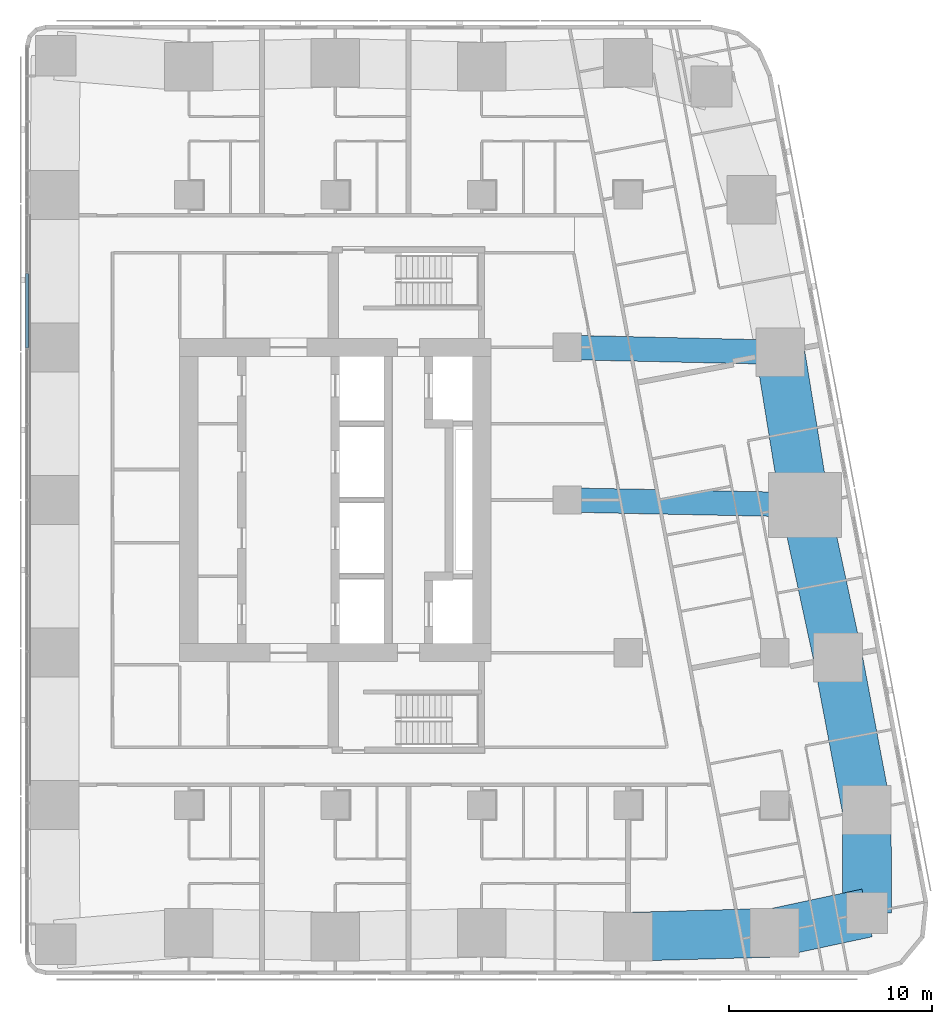
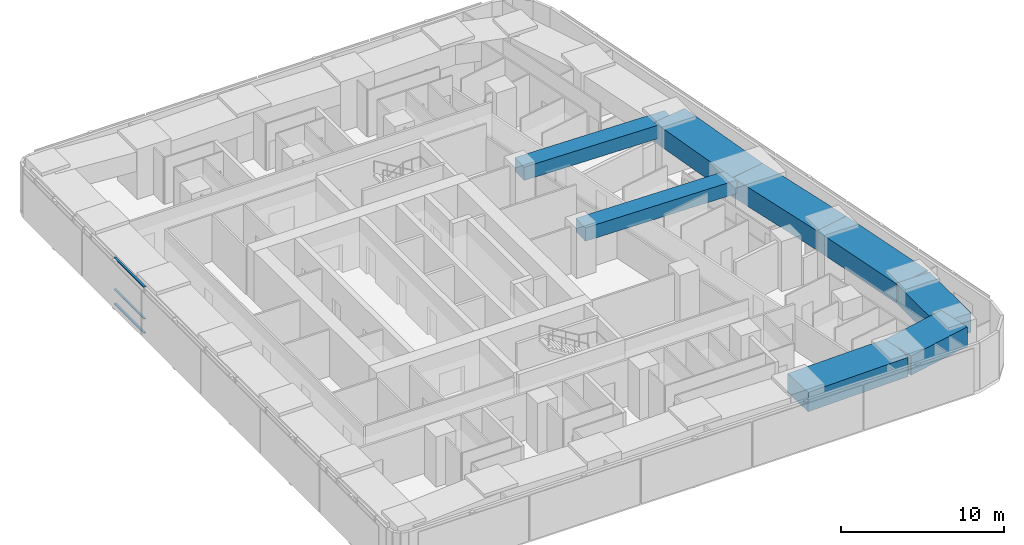
# One storey, part 4 of 17: 8 beams, 3 members, 1 element without a shape of its own.
"""IFC4 building model written with IfcOpenShell, lengths in metres."""

import ifcopenshell
import ifcopenshell.guid

model = None  # the IFC model being written
_history = None  # IfcOwnerHistory: only IFC2X3 demands one
_inside = {}  # id of a spatial element -> (the spatial element, [elements in it])
_under = {}  # id of a project, library or spatial element -> (it, [spatial elements below it])
_declared = {}  # id of a project -> (the project, [libraries it declares])
_typed = {}  # id of a type object -> (the type object, [elements of that type])
_made_of = {}  # id of a material, layer set ... -> (it, [elements and type objects made of it])


def new_model(schema):
    """Start an empty IFC model of exactly this schema.

    Asked for "IFC4X3", IfcOpenShell would pick the latest addendum, in which some entities
    have other attributes; the version numbers below select the first issue.
    IFC2X3 requires an IfcOwnerHistory on every rooted entity: one is made here for all.
    """
    global model, _history
    if schema == "IFC4X3":
        model = ifcopenshell.file(schema_version=(4, 3, 0, 0))
    else:
        model = ifcopenshell.file(schema=schema)
    _inside.clear()
    _under.clear()
    _declared.clear()
    _typed.clear()
    _made_of.clear()
    _history = None
    if model.schema == "IFC2X3":
        org = make("IfcOrganization", Name="unknown")
        user = make(
            "IfcPersonAndOrganization",
            ThePerson=make("IfcPerson", FamilyName="unknown"),
            TheOrganization=org,
        )
        app = make(
            "IfcApplication",
            ApplicationDeveloper=org,
            Version="unknown",
            ApplicationFullName="unknown",
            ApplicationIdentifier="unknown",
        )
        _history = make(
            "IfcOwnerHistory",
            OwningUser=user,
            OwningApplication=app,
            ChangeAction="ADDED",
            CreationDate=0,
        )
    return model


def make(cls, **values):
    """One entity of the class cls with the attributes given. An attribute that is None is left unset."""
    return model.create_entity(
        cls, **{name: value for name, value in values.items() if value is not None}
    )


def rooted(cls, **values):
    """An entity with a GlobalId (a new one), such as an element, a storey or a relation."""
    return make(cls, GlobalId=ifcopenshell.guid.new(), OwnerHistory=_history, **values)


def si_unit(unit_type, name, prefix=None):
    """IfcSIUnit, for example si_unit("LENGTHUNIT", "METRE", prefix="MILLI")."""
    return make("IfcSIUnit", UnitType=unit_type, Prefix=prefix, Name=name)


def assignment(units):
    """IfcUnitAssignment: the units of a project."""
    return None if units is None else make("IfcUnitAssignment", Units=units)


def point(xyz):
    """IfcCartesianPoint."""
    return None if xyz is None else make("IfcCartesianPoint", Coordinates=xyz)


def direction(xyz):
    """IfcDirection."""
    return None if xyz is None else make("IfcDirection", DirectionRatios=xyz)


def frame(location, z_axis=None, x_axis=None):
    """IfcAxis2Placement3D, a coordinate frame: its origin and axes. An axis left out is left unset."""
    return make(
        "IfcAxis2Placement3D",
        Location=point(location),
        Axis=direction(z_axis),
        RefDirection=direction(x_axis),
    )


def frame_2d(location, x_axis=None):
    """IfcAxis2Placement2D, a coordinate frame in the plane: its origin and x axis."""
    return make(
        "IfcAxis2Placement2D", Location=point(location), RefDirection=direction(x_axis)
    )


def origin():
    """The frame at (0, 0, 0) with its axes left unset."""
    return frame((0.0, 0.0, 0.0))


def origin_2d():
    """The frame at (0, 0) in the plane with its x axis left unset."""
    return frame_2d((0.0, 0.0))


def place(relative_to, where):
    """IfcLocalPlacement: puts the frame where relative to a parent placement (None: the world)."""
    return make(
        "IfcLocalPlacement", PlacementRelTo=relative_to, RelativePlacement=where
    )


def context(
    kind, dimensions, precision=None, world=None, true_north=None, identifier=None
):
    """IfcGeometricRepresentationContext, for example the 3D "Model" context."""
    return make(
        "IfcGeometricRepresentationContext",
        ContextIdentifier=identifier,
        ContextType=kind,
        CoordinateSpaceDimension=dimensions,
        Precision=precision,
        WorldCoordinateSystem=world,
        TrueNorth=true_north,
    )


def subcontext(parent, identifier, kind, view, scale=None):
    """IfcGeometricRepresentationSubContext, for example "Body" below "Model"."""
    return make(
        "IfcGeometricRepresentationSubContext",
        ContextIdentifier=identifier,
        ContextType=kind,
        ParentContext=parent,
        TargetScale=scale,
        TargetView=view,
    )


def project(units=None, contexts=None):
    """IfcProject with its units and contexts."""
    return rooted(
        "IfcProject",
        Name="project",
        RepresentationContexts=contexts,
        UnitsInContext=assignment(units),
    )


def spatial(cls, under=None, at=None, **own):
    """A site, building, storey or space (cls), placed at a placement, below another one or the project."""
    s = rooted(cls, ObjectPlacement=at, **own)
    if under is not None:
        _under.setdefault(under.id(), (under, []))[1].append(s)
    return s


def profile(cls, at=None, kind="AREA", **sizes):
    """A parametric profile (cls). Its sizes go by their IFC names, for example OverallWidth=200.0."""
    return make(cls, ProfileType=kind, Position=at, **sizes)


def rectangle(**sizes):
    """IfcRectangleProfileDef."""
    return profile("IfcRectangleProfileDef", **sizes)


def extrude(swept, where, along, depth):
    """IfcExtrudedAreaSolid: the profile swept, set in the frame where, extruded along a direction by depth."""
    return make(
        "IfcExtrudedAreaSolid",
        SweptArea=swept,
        Position=where,
        ExtrudedDirection=direction(along),
        Depth=depth,
    )


def shape(context_of_items, identifier, shape_type, items):
    """IfcShapeRepresentation: the items that make up one representation, for example the "Body"."""
    return make(
        "IfcShapeRepresentation",
        ContextOfItems=context_of_items,
        RepresentationIdentifier=identifier,
        RepresentationType=shape_type,
        Items=items,
    )


def material(Name=None, Category=None):
    """IfcMaterial."""
    return make("IfcMaterial", Name=Name, Category=Category)


def material_profile(
    of_material, cross_section, Name=None, Category=None, Priority=None
):
    """IfcMaterialProfile: a cross section and its material."""
    return make(
        "IfcMaterialProfile",
        Name=Name,
        Material=of_material,
        Profile=cross_section,
        Priority=Priority,
        Category=Category,
    )


def profile_set(profiles, Name=None, composite=None):
    """IfcMaterialProfileSet."""
    return make(
        "IfcMaterialProfileSet",
        Name=Name,
        MaterialProfiles=profiles,
        CompositeProfile=composite,
    )


def made_of(thing, what):
    """Note that an element or type object is made of a material, layer set ...; save() writes the relation."""
    if what is not None:
        _made_of.setdefault(what.id(), (what, []))[1].append(thing)
    return thing


def type_object(cls, material=None, **own):
    """A type object (cls), such as IfcWallType, which elements share."""
    return made_of(rooted(cls, **own), material)


def element(
    cls,
    number,
    at=None,
    inside=None,
    cuts=None,
    type_object=None,
    material=None,
    context=None,
    identifier="Body",
    shape_type=None,
    held_by="IfcProductDefinitionShape",
    body=None,
    shapes=None,
    **own,
):
    """One element of the class cls, such as IfcWall. Its Tag is "e" and its number.

    at: its placement. inside: the storey or other place that contains it. cuts: it is an
    opening in that element (IfcRelVoidsElement). A single representation is given by context,
    identifier, shape_type and body (its items); several are given by shapes. held_by: the class
    of the entity that holds the representations. save() writes the other relations.
    """
    e = rooted(cls, Tag="e%d" % number, ObjectPlacement=at, **own)
    if body is not None:
        shapes = [shape(context, identifier, shape_type, body)]
    if shapes is not None:
        e.Representation = make(held_by, Representations=shapes)
    if inside is not None:
        _inside.setdefault(inside.id(), (inside, []))[1].append(e)
    if cuts is not None:
        rooted(
            "IfcRelVoidsElement", RelatingBuildingElement=cuts, RelatedOpeningElement=e
        )
    if type_object is not None:
        _typed.setdefault(type_object.id(), (type_object, []))[1].append(e)
    return made_of(e, material)


def aggregate(whole, parts):
    """IfcRelAggregates: a whole, such as a stair, and the parts it consists of."""
    return rooted("IfcRelAggregates", RelatingObject=whole, RelatedObjects=parts)


def save(model, path):
    """Write the relations noted so far, then the file.

    IfcRelAggregates (storeys below a building ...), IfcRelContainedInSpatialStructure (elements
    in a storey), IfcRelDefinesByType, IfcRelAssociatesMaterial and IfcRelDeclares: one each for
    every whole, place, type object, material and project.
    """
    for whole, parts in _under.values():
        aggregate(whole, parts)
    for where, things in _inside.values():
        rooted(
            "IfcRelContainedInSpatialStructure",
            RelatedElements=things,
            RelatingStructure=where,
        )
    for kind, things in _typed.values():
        rooted("IfcRelDefinesByType", RelatedObjects=things, RelatingType=kind)
    for what, things in _made_of.values():
        rooted("IfcRelAssociatesMaterial", RelatedObjects=things, RelatingMaterial=what)
    for by, libraries in _declared.values():
        rooted("IfcRelDeclares", RelatingContext=by, RelatedDefinitions=libraries)
    model.write(path)


model = new_model("IFC4")

# Units and contexts
model_context = context("Model", 3, precision=1e-05, world=origin(), true_north=direction((0.0, 1.0)))
body_context = subcontext(model_context, "Body", "Model", "MODEL_VIEW")
ifc_project = project(units=[si_unit("LENGTHUNIT", "METRE"), si_unit("AREAUNIT", "SQUARE_METRE"), si_unit("VOLUMEUNIT", "CUBIC_METRE"), si_unit("PLANEANGLEUNIT", "RADIAN"), si_unit("MASSUNIT", "GRAM", prefix="KILO")], contexts=[model_context])

# Site, building, storey
site_placement = place(None, origin())
site = spatial("IfcSite", under=ifc_project, at=site_placement, CompositionType="ELEMENT")
building_placement = place(site_placement, origin())
building = spatial("IfcBuilding", under=site, at=building_placement, Name="Sheger Commons Tower", CompositionType="ELEMENT")
storey_placement = place(building_placement, frame((0.0, 0.0, 208.699951171875)))
storey = spatial("IfcBuildingStorey", under=building, at=storey_placement, Name="L53", CompositionType="ELEMENT", Elevation=208.699951171875)

# Beams
ifc_material_1 = material(Name="Concrete C50/60", Category="concrete")
ifc_material_profile_1 = material_profile(ifc_material_1, rectangle(XDim=1.199951171875, YDim=1.0, at=origin_2d()), Name="RC 1200x1000")
ifc_profile_set_1 = profile_set([ifc_material_profile_1], Name="Concrete C50/60")
beam_type_1 = type_object("IfcBeamType", Name="BEAM RC 1200x1000", PredefinedType="BEAM", material=ifc_profile_set_1)
beam_1_placement = place(storey_placement, frame((33.0, 22.5, 3.0), z_axis=(0.999794692776, -0.02026258368, 0.0), x_axis=(0.02026258368, 0.999794692776, 0.0)))
element("IfcBeam", 1, at=beam_1_placement, inside=storey, type_object=beam_type_1, Name="Beam 6-3000/D-7/D under L54", PredefinedType="BEAM", context=body_context, shape_type="SweptSolid", body=[
    extrude(rectangle(XDim=1.199951171875, YDim=1.0, at=origin_2d()), origin(), (0.0, 0.0, 1.0), 11.699462890625),
])
beam_2_placement = place(storey_placement, frame((33.0, 30.0, 3.0), z_axis=(0.999744258625, -0.022614538395, 0.0), x_axis=(0.022614538395, 0.999744258625, 0.0)))
element("IfcBeam", 2, at=beam_2_placement, inside=storey, type_object=beam_type_1, Name="Beam 6-3000/E-E/E under L54", PredefinedType="BEAM", context=body_context, shape_type="SweptSolid", body=[
    extrude(rectangle(XDim=1.199951171875, YDim=1.0, at=origin_2d()), origin(), (0.0, 0.0, 1.0), 10.482666015625),
])
ifc_material_2 = material(Name="Concrete C50/60", Category="concrete")
ifc_material_profile_2 = material_profile(ifc_material_2, rectangle(XDim=2.39990234375, YDim=1.449951171875, at=origin_2d()), Name="RC 2400x1450")
ifc_profile_set_2 = profile_set([ifc_material_profile_2], Name="Concrete C50/60")
beam_type_2 = type_object("IfcBeamType", Name="SPANDREL RC 2400x1450", PredefinedType="SPANDREL", material=ifc_profile_set_2)
beam_3_placement = place(storey_placement, frame((36.0, 1.02490234375, 2.775146484375), z_axis=(0.9996136624, 0.027794350926, 0.0), x_axis=(-0.027794350926, 0.9996136624, 0.0)))
element("IfcBeam", 3, at=beam_3_placement, inside=storey, type_object=beam_type_2, Name="Beam 6/A-7/A under L54", PredefinedType="SPANDREL", context=body_context, shape_type="SweptSolid", body=[
    extrude(rectangle(XDim=2.39990234375, YDim=1.449951171875, at=origin_2d()), origin(), (0.0, 0.0, 1.0), 7.20263671875),
])
beam_4_placement = place(storey_placement, frame((43.199951171875, 1.22509765625, 2.775146484375), z_axis=(0.977919796671, 0.208980552394, 0.0), x_axis=(-0.208980552394, 0.977919796671, 0.0)))
element("IfcBeam", 4, at=beam_4_placement, inside=storey, type_object=beam_type_2, Name="Beam 7/A-49.461,0.778 under L54", PredefinedType="SPANDREL", context=body_context, shape_type="SweptSolid", body=[
    extrude(rectangle(XDim=2.39990234375, YDim=1.449951171875, at=origin_2d()), origin(), (0.0, 0.0, 1.0), 4.65087890625),
])
beam_5_placement = place(storey_placement, frame((47.748046875, 2.197021484375, 2.775146484375), z_axis=(-0.003566242382, 0.999993640937, 0.0), x_axis=(-0.999993640937, -0.003566242382, 0.0)))
element("IfcBeam", 5, at=beam_5_placement, inside=storey, type_object=beam_type_2, Name="Beam 49.461,0.778-E/B under L54", PredefinedType="SPANDREL", context=body_context, shape_type="SweptSolid", body=[
    extrude(rectangle(XDim=2.39990234375, YDim=1.449951171875, at=origin_2d()), origin(), (0.0, 0.0, 1.0), 5.06591796875),
])
beam_6_placement = place(storey_placement, frame((47.72998046875, 7.262939453125, 2.775146484375), z_axis=(-0.18552441405, 0.982639655108, 0.0), x_axis=(-0.982639655108, -0.18552441405, 0.0)))
element("IfcBeam", 6, at=beam_6_placement, inside=storey, type_object=beam_type_2, Name="Beam E/B-E/C under L54", PredefinedType="SPANDREL", context=body_context, shape_type="SweptSolid", body=[
    extrude(rectangle(XDim=2.39990234375, YDim=1.449951171875, at=origin_2d()), origin(), (0.0, 0.0, 1.0), 7.632568359375),
])
beam_7_placement = place(storey_placement, frame((46.31396484375, 14.762939453125, 2.775146484375), z_axis=(-0.210750229323, 0.977539943348, 0.0), x_axis=(-0.977539943348, -0.210750229323, 0.0)))
element("IfcBeam", 7, at=beam_7_placement, inside=storey, type_object=beam_type_2, Name="Beam E/C-E/D under L54", PredefinedType="SPANDREL", context=body_context, shape_type="SweptSolid", body=[
    extrude(rectangle(XDim=2.39990234375, YDim=1.449951171875, at=origin_2d()), origin(), (0.0, 0.0, 1.0), 7.67236328125),
])
beam_8_placement = place(storey_placement, frame((44.697021484375, 22.262939453125, 2.775146484375), z_axis=(-0.160176929512, 0.987088319884, 0.0), x_axis=(-0.987088319884, -0.160176929512, 0.0)))
element("IfcBeam", 8, at=beam_8_placement, inside=storey, type_object=beam_type_2, Name="Beam E/D-E/E under L54", PredefinedType="SPANDREL", context=body_context, shape_type="SweptSolid", body=[
    extrude(rectangle(XDim=2.39990234375, YDim=1.449951171875, at=origin_2d()), origin(), (0.0, 0.0, 1.0), 7.59814453125),
])

# Curtain wall, members
ifc_material_3 = material(Name="Black aluminium curtain wall, dark tinted glazing", Category="aluminium")
curtain_wall_type = type_object("IfcCurtainWallType", Name="CURTAIN WALL CW4 GALLERY", PredefinedType="USERDEFINED", material=ifc_material_3)
curtain_wall_placement = place(storey_placement, origin())
curtain_wall = element("IfcCurtainWall", 9, at=curtain_wall_placement, inside=storey, type_object=curtain_wall_type, Name="Curtain Wall Cw4 Gallery W1 L53", ObjectType="UNITISED CURTAIN WALL", PredefinedType="USERDEFINED")
ifc_material_4 = material(Name="Black anodised aluminium", Category="aluminium")
ifc_material_profile_3 = material_profile(ifc_material_4, rectangle(XDim=0.14990234375, YDim=0.06494140625, at=origin_2d()), Name="AL 65x150")
ifc_profile_set_3 = profile_set([ifc_material_profile_3], Name="Black anodised aluminium")
member_type = type_object("IfcMemberType", Name="TRANSOM AL 65x150", PredefinedType="USERDEFINED", material=ifc_profile_set_3)
member_1_placement = place(storey_placement, frame((6.449951171875, 33.635498046875, 0.032470703125), z_axis=(0.0, -1.0, 0.0), x_axis=(1.0, 0.0, 0.0)))
member_1 = element("IfcMember", 10, at=member_1_placement, type_object=member_type, Name="CW4 transom 7.1", ObjectType="TRANSOM", PredefinedType="USERDEFINED", context=body_context, shape_type="SweptSolid", body=[
    extrude(rectangle(XDim=0.14990234375, YDim=0.06494140625, at=origin_2d()), origin(), (0.0, 0.0, 1.0), 3.656982421875),
])
member_2_placement = place(storey_placement, frame((6.449951171875, 33.635498046875, 1.10009765625), z_axis=(0.0, -1.0, 0.0), x_axis=(1.0, 0.0, 0.0)))
member_2 = element("IfcMember", 11, at=member_2_placement, type_object=member_type, Name="CW4 transom 7.2", ObjectType="TRANSOM", PredefinedType="USERDEFINED", context=body_context, shape_type="SweptSolid", body=[
    extrude(rectangle(XDim=0.14990234375, YDim=0.06494140625, at=origin_2d()), origin(), (0.0, 0.0, 1.0), 3.656982421875),
])
member_3_placement = place(storey_placement, frame((6.449951171875, 33.635498046875, 3.467529296875), z_axis=(0.0, -1.0, 0.0), x_axis=(1.0, 0.0, 0.0)))
member_3 = element("IfcMember", 12, at=member_3_placement, type_object=member_type, Name="CW4 transom 7.3", ObjectType="TRANSOM", PredefinedType="USERDEFINED", context=body_context, shape_type="SweptSolid", body=[
    extrude(rectangle(XDim=0.14990234375, YDim=0.06494140625, at=origin_2d()), origin(), (0.0, 0.0, 1.0), 3.656982421875),
])
aggregate(curtain_wall, [member_1, member_2, member_3])

save(model, "model.ifc")
